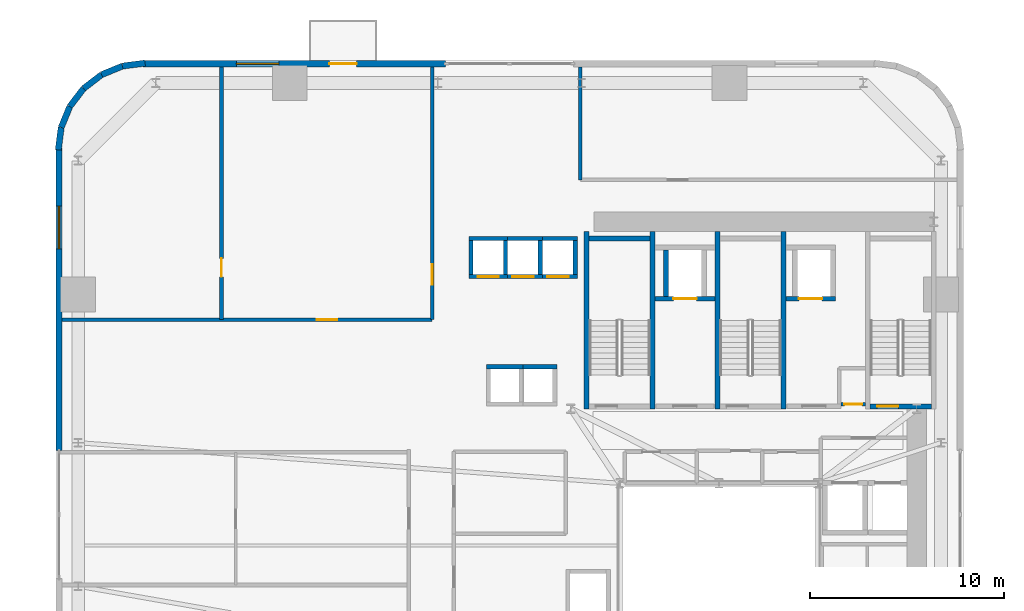
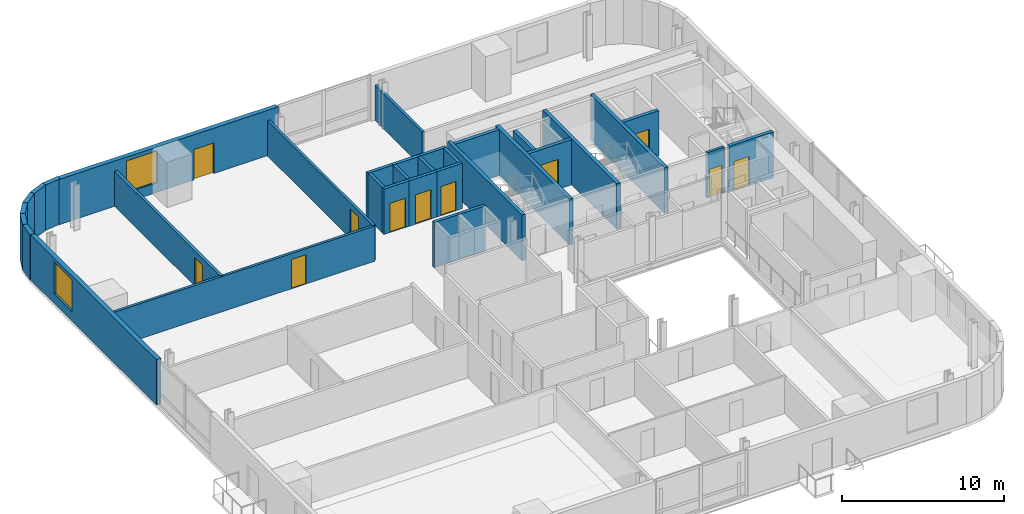
# One storey, part 8 of 13: 34 walls, 11 doors, 2 windows, 13 openings.
"""IFC4 building model written with IfcOpenShell, lengths in metres."""

from ifc_helpers import new_model, si_unit, direction, frame, frame_2d, origin, place, context, subcontext, project, spatial, rectangle, extrude, source, transform, mapped, material, layer, layer_set, type_object, element, fill, save


model = new_model("IFC4")

# Units and contexts
model_context = context("Model", 3, precision=1e-05, world=origin(), true_north=direction((0.0, 1.0)))
body_context = subcontext(model_context, "Body", "Model", "MODEL_VIEW")
ifc_project = project(units=[si_unit("LENGTHUNIT", "METRE"), si_unit("AREAUNIT", "SQUARE_METRE"), si_unit("VOLUMEUNIT", "CUBIC_METRE"), si_unit("PLANEANGLEUNIT", "RADIAN"), si_unit("MASSUNIT", "GRAM", prefix="KILO")], contexts=[model_context])

# Site, building, storey
site_placement = place(None, origin())
site = spatial("IfcSite", under=ifc_project, at=site_placement, CompositionType="ELEMENT")
building_placement = place(site_placement, origin())
building = spatial("IfcBuilding", under=site, at=building_placement, Name="Vardaveli Station Tower", CompositionType="ELEMENT")
storey_placement = place(building_placement, frame((0.0, 0.0, 67.75)))
storey = spatial("IfcBuildingStorey", under=building, at=storey_placement, Name="L17", CompositionType="ELEMENT", Elevation=67.75)

# Wall, openings, door, window
ifc_material_1 = material(Name="Precast concrete C45/55", Category="concrete")
ifc_layer_1 = layer(ifc_material_1, 0.320068359375, Name="Precast concrete C45/55")
ifc_layer_set_1 = layer_set([ifc_layer_1], Name="Precast concrete C45/55")
wall_type_1 = type_object("IfcWallType", Name="WAL-EXT-STONE-320", PredefinedType="SOLIDWALL", material=ifc_layer_set_1)
shared_shape_1 = source(origin(), body_context, "Body", "SweptSolid", [
    extrude(rectangle(XDim=15.599853515625, YDim=0.320068359375, at=frame_2d((7.7998046875, 0.0))), origin(), (0.0, 0.0, 1.0), 3.409912109375),
])
wall_1_placement = place(storey_placement, frame((22.199951171875, 48.43994140625, 0.0), z_axis=(0.0, 0.0, 1.0), x_axis=(-1.0, 0.0, 0.0)))
wall_1 = element("IfcWall", 1, at=wall_1_placement, inside=storey, type_object=wall_type_1, Name="EW-L17-N2", PredefinedType="SOLIDWALL", context=body_context, shape_type="MappedRepresentation", body=[
    mapped(shared_shape_1, transform((0.0, 0.0, 0.0), scale=1.0)),
])
shared_shape_2 = source(origin(), body_context, "Body", "SweptSolid", [
    extrude(rectangle(XDim=1.39990234375, YDim=2.300048828125, at=frame_2d((0.699951171875, 1.14990234375))), frame((0.0, 0.169921875, 0.0), z_axis=(0.0, -1.0, 0.0), x_axis=(1.0, 0.0, 0.0)), (0.0, 0.0, 1.0), 0.340087890625),
])
opening_1_placement = place(wall_1_placement, frame((4.589599609375, 0.0, 0.0)))
opening_1 = element("IfcOpeningElement", 2, at=opening_1_placement, cuts=wall_1, Name="Opening D-09", PredefinedType="OPENING", context=body_context, shape_type="MappedRepresentation", body=[
    mapped(shared_shape_2, transform((0.0, 0.0, 0.0), scale=1.0)),
])
shared_shape_3 = source(origin(), body_context, "Body", "SweptSolid", [
    extrude(rectangle(XDim=2.199951171875, YDim=2.39990234375, at=frame_2d((1.10009765625, 1.199951171875))), frame((0.0, 0.169921875, 0.0), z_axis=(0.0, -1.0, 0.0), x_axis=(1.0, 0.0, 0.0)), (0.0, 0.0, 1.0), 0.340087890625),
])
opening_2_placement = place(wall_1_placement, frame((8.594970703125, 0.0, 0.719970703125)))
opening_2 = element("IfcOpeningElement", 3, at=opening_2_placement, cuts=wall_1, Name="Opening W-03", PredefinedType="OPENING", context=body_context, shape_type="MappedRepresentation", body=[
    mapped(shared_shape_3, transform((0.0, 0.0, 0.0), scale=1.0)),
])
ifc_material_2 = material(Name="Thermally broken aluminium glass", Category="aluminium")
door_type_1 = type_object("IfcDoorType", Name="DR-LOG-1400x2300", OperationType="DOUBLE_DOOR_SLIDING", PredefinedType="DOOR", material=ifc_material_2)
shared_shape_4 = source(origin(), body_context, "Body", "SweptSolid", [
    extrude(rectangle(XDim=1.39990234375, YDim=2.300048828125, at=frame_2d((0.699951171875, 1.14990234375))), frame((0.0, 0.02490234375, 0.0), z_axis=(0.0, -1.0, 0.0), x_axis=(1.0, 0.0, 0.0)), (0.0, 0.0, 1.0), 0.050048828125),
])
door_1_placement = place(opening_1_placement, frame((1.39990234375, 0.0, 0.0), z_axis=(0.0, 0.0, 1.0), x_axis=(-1.0, 0.0, 0.0)))
door_1 = element("IfcDoor", 4, at=door_1_placement, inside=storey, type_object=door_type_1, Name="DLG-L17-N", OperationType="DOUBLE_DOOR_SLIDING", OverallHeight=2.300048828125, OverallWidth=1.39990234375, PredefinedType="DOOR", context=body_context, shape_type="MappedRepresentation", body=[
    mapped(shared_shape_4, transform((0.0, 0.0, 0.0), scale=1.0)),
])
fill(opening_1, door_1)
ifc_material_3 = material(Name="Low-E solar-control glass", Category="glass")
window_type = type_object("IfcWindowType", Name="WIN-LOG-2200x2400", PartitioningType="SINGLE_PANEL", PredefinedType="WINDOW", material=ifc_material_3)
shared_shape_5 = source(origin(), body_context, "Body", "SweptSolid", [
    extrude(rectangle(XDim=2.199951171875, YDim=2.39990234375, at=frame_2d((1.10009765625, 1.199951171875))), frame((0.0, 0.030029296875, 0.0), z_axis=(0.0, -1.0, 0.0), x_axis=(1.0, 0.0, 0.0)), (0.0, 0.0, 1.0), 0.06005859375),
])
window_1_placement = place(opening_2_placement, origin())
window_1 = element("IfcWindow", 5, at=window_1_placement, inside=storey, type_object=window_type, Name="WN-L17-N2", OverallHeight=2.39990234375, OverallWidth=2.199951171875, PartitioningType="SINGLE_PANEL", PredefinedType="WINDOW", context=body_context, shape_type="MappedRepresentation", body=[
    mapped(shared_shape_5, transform((0.0, 0.0, 0.0), scale=1.0)),
])
fill(opening_2, window_1)

# Wall, opening, window
shared_shape_6 = source(origin(), body_context, "Body", "SweptSolid", [
    extrude(rectangle(XDim=15.60009765625, YDim=0.320068359375, at=frame_2d((7.800048828125, 0.0))), origin(), (0.0, 0.0, 1.0), 3.409912109375),
])
wall_2_placement = place(storey_placement, frame((2.260009765625, 44.10009765625, 0.0), z_axis=(0.0, 0.0, 1.0), x_axis=(0.0, -1.0, 0.0)))
wall_2 = element("IfcWall", 6, at=wall_2_placement, inside=storey, type_object=wall_type_1, Name="EW-L17-W1", PredefinedType="SOLIDWALL", context=body_context, shape_type="MappedRepresentation", body=[
    mapped(shared_shape_6, transform((0.0, 0.0, 0.0), scale=1.0)),
])
opening_3_placement = place(wall_2_placement, frame((3.0048828125, 0.0, 0.719970703125)))
opening_3 = element("IfcOpeningElement", 7, at=opening_3_placement, cuts=wall_2, Name="Opening W-03", PredefinedType="OPENING", context=body_context, shape_type="MappedRepresentation", body=[
    mapped(shared_shape_3, transform((0.0, 0.0, 0.0), scale=1.0)),
])
window_2_placement = place(opening_3_placement, origin())
window_2 = element("IfcWindow", 8, at=window_2_placement, inside=storey, type_object=window_type, Name="WN-L17-W1", OverallHeight=2.39990234375, OverallWidth=2.199951171875, PartitioningType="SINGLE_PANEL", PredefinedType="WINDOW", context=body_context, shape_type="MappedRepresentation", body=[
    mapped(shared_shape_5, transform((0.0, 0.0, 0.0), scale=1.0)),
])
fill(opening_3, window_2)

# Walls
shared_shape_7 = source(origin(), body_context, "Body", "SweptSolid", [
    extrude(rectangle(XDim=1.1689453125, YDim=0.320068359375, at=frame_2d((0.58447265625, 0.0))), origin(), (0.0, 0.0, 1.0), 3.409912109375),
])
wall_3_placement = place(storey_placement, frame((3.53125, 47.1689453125, 0.0), z_axis=(0.0, 0.0, 1.0), x_axis=(-0.608387696831, -0.793639975269, 0.0)))
element("IfcWall", 9, at=wall_3_placement, inside=storey, type_object=wall_type_1, Name="EW-L17-CR4-4", PredefinedType="SOLIDWALL", context=body_context, shape_type="MappedRepresentation", body=[
    mapped(shared_shape_7, transform((0.0, 0.0, 0.0), scale=1.0)),
])
shared_shape_8 = source(origin(), body_context, "Body", "SweptSolid", [
    extrude(rectangle(XDim=1.168701171875, YDim=0.320068359375, at=frame_2d((0.58447265625, 0.0))), origin(), (0.0, 0.0, 1.0), 3.409912109375),
])
wall_4_placement = place(storey_placement, frame((4.458740234375, 47.8798828125, 0.0), z_axis=(0.0, 0.0, 1.0), x_axis=(-0.793663520347, -0.608356981114, 0.0)))
element("IfcWall", 10, at=wall_4_placement, inside=storey, type_object=wall_type_1, Name="EW-L17-CR4-3", PredefinedType="SOLIDWALL", context=body_context, shape_type="MappedRepresentation", body=[
    mapped(shared_shape_8, transform((0.0, 0.0, 0.0), scale=1.0)),
])
shared_shape_9 = source(origin(), body_context, "Body", "SweptSolid", [
    extrude(rectangle(XDim=1.17041015625, YDim=0.320068359375, at=frame_2d((0.585205078125, 0.0))), origin(), (0.0, 0.0, 1.0), 3.409912109375),
])
for number, where, z_axis, x_axis, name in (
    (11, (6.700439453125, 48.4755859375, 0.0), (0.0, 0.0, 1.0), (-0.991735963317, -0.128295670475, 0.0), "EW-L17-CR4-1"),
    (12, (2.37451171875, 45.16015625, 0.0), (0.0, 0.0, 1.0), (-0.128295670475, -0.991735963317, 0.0), "EW-L17-CR4-6"),
):
    element("IfcWall", number, at=place(storey_placement, frame(where, z_axis=z_axis, x_axis=x_axis)), inside=storey, type_object=wall_type_1, Name=name, PredefinedType="SOLIDWALL", context=body_context, shape_type="MappedRepresentation", body=[
        mapped(shared_shape_9, transform((0.0, 0.0, 0.0), scale=1.0)),
    ])
shared_shape_10 = source(origin(), body_context, "Body", "SweptSolid", [
    extrude(rectangle(XDim=1.169189453125, YDim=0.320068359375, at=frame_2d((0.58447265625, 0.0))), origin(), (0.0, 0.0, 1.0), 3.409912109375),
])
for number, where, z_axis, x_axis, name in (
    (13, (5.539794921875, 48.325439453125, 0.0), (0.0, 0.0, 1.0), (-0.924552646638, -0.381054331552, 0.0), "EW-L17-CR4-2"),
    (14, (2.820068359375, 46.2412109375, 0.0), (0.0, 0.0, 1.0), (-0.381054331552, -0.924552646638, 0.0), "EW-L17-CR4-5"),
):
    element("IfcWall", number, at=place(storey_placement, frame(where, z_axis=z_axis, x_axis=x_axis)), inside=storey, type_object=wall_type_1, Name=name, PredefinedType="SOLIDWALL", context=body_context, shape_type="MappedRepresentation", body=[
        mapped(shared_shape_10, transform((0.0, 0.0, 0.0), scale=1.0)),
    ])
ifc_material_4 = material(Name="Concrete C40/50", Category="concrete")
ifc_layer_2 = layer(ifc_material_4, 0.25, Name="Concrete C40/50")
ifc_layer_set_2 = layer_set([ifc_layer_2], Name="Concrete C40/50")
wall_type_2 = type_object("IfcWallType", Name="WAL-SHAFT-250", PredefinedType="SOLIDWALL", material=ifc_layer_set_2)
shared_shape_11 = source(origin(), body_context, "Body", "SweptSolid", [
    extrude(rectangle(XDim=9.150146484375, YDim=0.25, at=frame_2d((4.5751953125, 0.0))), origin(), (0.0, 0.0, 1.0), 3.449951171875),
])
for number, where, z_axis, x_axis, name in (
    (15, (29.47509765625, 30.64990234375, 0.0), (0.0, 0.0, 1.0), (0.0, 1.0, 0.0), "W-L17-ST-1W"),
    (16, (32.875, 30.64990234375, 0.0), (0.0, 0.0, 1.0), (0.0, 1.0, 0.0), "W-L17-ST-1E"),
    (17, (36.22509765625, 30.64990234375, 0.0), (0.0, 0.0, 1.0), (0.0, 1.0, 0.0), "W-L17-ST-2W"),
    (18, (39.625, 30.64990234375, 0.0), (0.0, 0.0, 1.0), (0.0, 1.0, 0.0), "W-L17-ST-2E"),
):
    element("IfcWall", number, at=place(storey_placement, frame(where, z_axis=z_axis, x_axis=x_axis)), inside=storey, type_object=wall_type_2, Name=name, PredefinedType="SOLIDWALL", context=body_context, shape_type="MappedRepresentation", body=[
        mapped(shared_shape_11, transform((0.0, 0.0, 0.0), scale=1.0)),
    ])
shared_shape_12 = source(origin(), body_context, "Body", "SweptSolid", [
    extrude(rectangle(XDim=3.14990234375, YDim=0.25, at=frame_2d((1.574951171875, 0.0))), origin(), (0.0, 0.0, 1.0), 3.449951171875),
])
wall_5_placement = place(storey_placement, frame((29.60009765625, 39.425048828125, 0.0), z_axis=(0.0, 0.0, 1.0), x_axis=(1.0, 0.0, 0.0)))
element("IfcWall", 19, at=wall_5_placement, inside=storey, type_object=wall_type_2, Name="W-L17-ST-1N", PredefinedType="SOLIDWALL", context=body_context, shape_type="MappedRepresentation", body=[
    mapped(shared_shape_12, transform((0.0, 0.0, 0.0), scale=1.0)),
])

# Wall, opening, door
wall_6_placement = place(storey_placement, frame((44.10009765625, 30.77490234375, 0.0), z_axis=(0.0, 0.0, 1.0), x_axis=(1.0, 0.0, 0.0)))
wall_6 = element("IfcWall", 20, at=wall_6_placement, inside=storey, type_object=wall_type_2, Name="W-L17-ST-3S", PredefinedType="SOLIDWALL", context=body_context, shape_type="MappedRepresentation", body=[
    mapped(shared_shape_12, transform((0.0, 0.0, 0.0), scale=1.0)),
])
shared_shape_13 = source(origin(), body_context, "Body", "SweptSolid", [
    extrude(rectangle(XDim=1.10009765625, YDim=2.199951171875, at=frame_2d((0.550048828125, 1.10009765625))), frame((0.0, 0.135009765625, 0.0), z_axis=(0.0, -1.0, 0.0), x_axis=(1.0, 0.0, 0.0)), (0.0, 0.0, 1.0), 0.27001953125),
])
opening_4_placement = place(wall_6_placement, frame((0.35009765625, 0.0, 0.0)))
opening_4 = element("IfcOpeningElement", 21, at=opening_4_placement, cuts=wall_6, Name="Opening D-04", PredefinedType="OPENING", context=body_context, shape_type="MappedRepresentation", body=[
    mapped(shared_shape_13, transform((0.0, 0.0, 0.0), scale=1.0)),
])
ifc_material_5 = material(Name="Steel smokeproof fire doorset", Category="steel")
door_type_2 = type_object("IfcDoorType", Name="DR-ST-1100x2200", OperationType="NOTDEFINED", PredefinedType="DOOR", material=ifc_material_5)
shared_shape_14 = source(origin(), body_context, "Body", "SweptSolid", [
    extrude(rectangle(XDim=1.10009765625, YDim=2.199951171875, at=frame_2d((0.550048828125, 1.10009765625))), frame((0.0, 0.02490234375, 0.0), z_axis=(0.0, -1.0, 0.0), x_axis=(1.0, 0.0, 0.0)), (0.0, 0.0, 1.0), 0.050048828125),
])
door_2_placement = place(opening_4_placement, origin())
door_2 = element("IfcDoor", 22, at=door_2_placement, inside=storey, type_object=door_type_2, Name="DST-3-L17", OperationType="SINGLE_SWING_LEFT", OverallHeight=2.199951171875, OverallWidth=1.10009765625, PredefinedType="DOOR", context=body_context, shape_type="MappedRepresentation", body=[
    mapped(shared_shape_14, transform((0.0, 0.0, 0.0), scale=1.0)),
])
fill(opening_4, door_2)

# Walls
ifc_layer_3 = layer(ifc_material_4, 0.219970703125, Name="Concrete C40/50")
ifc_layer_set_3 = layer_set([ifc_layer_3], Name="Concrete C40/50")
wall_type_3 = type_object("IfcWallType", Name="WAL-FFLOBBY-220", PredefinedType="SOLIDWALL", material=ifc_layer_set_3)
shared_shape_15 = source(origin(), body_context, "Body", "SweptSolid", [
    extrude(rectangle(XDim=1.75, YDim=0.219970703125, at=frame_2d((0.875, 0.0))), origin(), (0.0, 0.0, 1.0), 3.409912109375),
])
for number, where, z_axis, x_axis, name in (
    (23, (23.514892578125, 37.574951171875, 0.0), (0.0, 0.0, 1.0), (0.0, 1.0, 0.0), "SHW-HL1-01-L17-W"),
    (24, (25.284912109375, 37.574951171875, 0.0), (0.0, 0.0, 1.0), (0.0, 1.0, 0.0), "SHW-HL1-01-L17-E"),
    (25, (27.0849609375, 37.574951171875, 0.0), (0.0, 0.0, 1.0), (0.0, 1.0, 0.0), "SHW-HL1-02-L17-E"),
    (26, (28.885009765625, 37.574951171875, 0.0), (0.0, 0.0, 1.0), (0.0, 1.0, 0.0), "SHW-HL1-03-L17-E"),
):
    element("IfcWall", number, at=place(storey_placement, frame(where, z_axis=z_axis, x_axis=x_axis)), inside=storey, type_object=wall_type_3, Name=name, PredefinedType="SOLIDWALL", context=body_context, shape_type="MappedRepresentation", body=[
        mapped(shared_shape_15, transform((0.0, 0.0, 0.0), scale=1.0)),
    ])

# Wall, opening, door
shared_shape_16 = source(origin(), body_context, "Body", "SweptSolid", [
    extrude(rectangle(XDim=1.989990234375, YDim=0.219970703125, at=frame_2d((0.9951171875, 0.0))), origin(), (0.0, 0.0, 1.0), 3.409912109375),
])
wall_7_placement = place(storey_placement, frame((23.405029296875, 37.465087890625, 0.0), z_axis=(0.0, 0.0, 1.0), x_axis=(1.0, 0.0, 0.0)))
wall_7 = element("IfcWall", 27, at=wall_7_placement, inside=storey, type_object=wall_type_3, Name="SHW-HL1-01-L17-S", PredefinedType="SOLIDWALL", context=body_context, shape_type="MappedRepresentation", body=[
    mapped(shared_shape_16, transform((0.0, 0.0, 0.0), scale=1.0)),
])
shared_shape_17 = source(origin(), body_context, "Body", "SweptSolid", [
    extrude(rectangle(XDim=1.10009765625, YDim=2.199951171875, at=frame_2d((0.550048828125, 1.10009765625))), frame((0.0, 0.1201171875, 0.0), z_axis=(0.0, -1.0, 0.0), x_axis=(1.0, 0.0, 0.0)), (0.0, 0.0, 1.0), 0.239990234375),
])
opening_5_placement = place(wall_7_placement, frame((0.445068359375, 0.0, 0.0)))
opening_5 = element("IfcOpeningElement", 28, at=opening_5_placement, cuts=wall_7, Name="Opening LD-01", PredefinedType="OPENING", context=body_context, shape_type="MappedRepresentation", body=[
    mapped(shared_shape_17, transform((0.0, 0.0, 0.0), scale=1.0)),
])
ifc_material_6 = material(Name="Brushed stainless steel", Category="steel")
door_type_3 = type_object("IfcDoorType", Name="DR-LD-1100x2200", OperationType="DOUBLE_DOOR_SLIDING", PredefinedType="DOOR", material=ifc_material_6)
door_3_placement = place(opening_5_placement, origin())
door_3 = element("IfcDoor", 29, at=door_3_placement, inside=storey, type_object=door_type_3, Name="LD-HL1-01-L17", OperationType="DOUBLE_DOOR_SLIDING", OverallHeight=2.199951171875, OverallWidth=1.10009765625, PredefinedType="DOOR", context=body_context, shape_type="MappedRepresentation", body=[
    mapped(shared_shape_14, transform((0.0, 0.0, 0.0), scale=1.0)),
])
fill(opening_5, door_3)

# Wall
wall_8_placement = place(storey_placement, frame((23.405029296875, 39.43505859375, 0.0), z_axis=(0.0, 0.0, 1.0), x_axis=(1.0, 0.0, 0.0)))
element("IfcWall", 30, at=wall_8_placement, inside=storey, type_object=wall_type_3, Name="SHW-HL1-01-L17-N", PredefinedType="SOLIDWALL", context=body_context, shape_type="MappedRepresentation", body=[
    mapped(shared_shape_16, transform((0.0, 0.0, 0.0), scale=1.0)),
])

# Wall, opening, door
wall_9_placement = place(storey_placement, frame((25.205078125, 37.465087890625, 0.0), z_axis=(0.0, 0.0, 1.0), x_axis=(1.0, 0.0, 0.0)))
wall_9 = element("IfcWall", 31, at=wall_9_placement, inside=storey, type_object=wall_type_3, Name="SHW-HL1-02-L17-S", PredefinedType="SOLIDWALL", context=body_context, shape_type="MappedRepresentation", body=[
    mapped(shared_shape_16, transform((0.0, 0.0, 0.0), scale=1.0)),
])
opening_6_placement = place(wall_9_placement, frame((0.445068359375, 0.0, 0.0)))
opening_6 = element("IfcOpeningElement", 32, at=opening_6_placement, cuts=wall_9, Name="Opening LD-01", PredefinedType="OPENING", context=body_context, shape_type="MappedRepresentation", body=[
    mapped(shared_shape_17, transform((0.0, 0.0, 0.0), scale=1.0)),
])
door_4_placement = place(opening_6_placement, origin())
door_4 = element("IfcDoor", 33, at=door_4_placement, inside=storey, type_object=door_type_3, Name="LD-HL1-02-L17", OperationType="DOUBLE_DOOR_SLIDING", OverallHeight=2.199951171875, OverallWidth=1.10009765625, PredefinedType="DOOR", context=body_context, shape_type="MappedRepresentation", body=[
    mapped(shared_shape_14, transform((0.0, 0.0, 0.0), scale=1.0)),
])
fill(opening_6, door_4)

# Wall
wall_10_placement = place(storey_placement, frame((25.205078125, 39.43505859375, 0.0), z_axis=(0.0, 0.0, 1.0), x_axis=(1.0, 0.0, 0.0)))
element("IfcWall", 34, at=wall_10_placement, inside=storey, type_object=wall_type_3, Name="SHW-HL1-02-L17-N", PredefinedType="SOLIDWALL", context=body_context, shape_type="MappedRepresentation", body=[
    mapped(shared_shape_16, transform((0.0, 0.0, 0.0), scale=1.0)),
])

# Wall, opening, door
shared_shape_18 = source(origin(), body_context, "Body", "SweptSolid", [
    extrude(rectangle(XDim=1.990234375, YDim=0.219970703125, at=frame_2d((0.9951171875, 0.0))), origin(), (0.0, 0.0, 1.0), 3.409912109375),
])
wall_11_placement = place(storey_placement, frame((27.0048828125, 37.465087890625, 0.0), z_axis=(0.0, 0.0, 1.0), x_axis=(1.0, 0.0, 0.0)))
wall_11 = element("IfcWall", 35, at=wall_11_placement, inside=storey, type_object=wall_type_3, Name="SHW-HL1-03-L17-S", PredefinedType="SOLIDWALL", context=body_context, shape_type="MappedRepresentation", body=[
    mapped(shared_shape_18, transform((0.0, 0.0, 0.0), scale=1.0)),
])
opening_7_placement = place(wall_11_placement, frame((0.445068359375, 0.0, 0.0)))
opening_7 = element("IfcOpeningElement", 36, at=opening_7_placement, cuts=wall_11, Name="Opening LD-01", PredefinedType="OPENING", context=body_context, shape_type="MappedRepresentation", body=[
    mapped(shared_shape_17, transform((0.0, 0.0, 0.0), scale=1.0)),
])
door_5_placement = place(opening_7_placement, origin())
door_5 = element("IfcDoor", 37, at=door_5_placement, inside=storey, type_object=door_type_3, Name="LD-HL1-03-L17", OperationType="DOUBLE_DOOR_SLIDING", OverallHeight=2.199951171875, OverallWidth=1.10009765625, PredefinedType="DOOR", context=body_context, shape_type="MappedRepresentation", body=[
    mapped(shared_shape_14, transform((0.0, 0.0, 0.0), scale=1.0)),
])
fill(opening_7, door_5)

# Wall
wall_12_placement = place(storey_placement, frame((27.0048828125, 39.43505859375, 0.0), z_axis=(0.0, 0.0, 1.0), x_axis=(1.0, 0.0, 0.0)))
element("IfcWall", 38, at=wall_12_placement, inside=storey, type_object=wall_type_3, Name="SHW-HL1-03-L17-N", PredefinedType="SOLIDWALL", context=body_context, shape_type="MappedRepresentation", body=[
    mapped(shared_shape_18, transform((0.0, 0.0, 0.0), scale=1.0)),
])

# Wall, opening, door
shared_shape_19 = source(origin(), body_context, "Body", "SweptSolid", [
    extrude(rectangle(XDim=3.10009765625, YDim=0.25, at=frame_2d((1.550048828125, 0.0))), origin(), (0.0, 0.0, 1.0), 3.409912109375),
])
wall_13_placement = place(storey_placement, frame((33.0, 36.324951171875, 0.0), z_axis=(0.0, 0.0, 1.0), x_axis=(1.0, 0.0, 0.0)))
wall_13 = element("IfcWall", 39, at=wall_13_placement, inside=storey, type_object=wall_type_2, Name="SHW-FFL-01-L17-S", PredefinedType="SOLIDWALL", context=body_context, shape_type="MappedRepresentation", body=[
    mapped(shared_shape_19, transform((0.0, 0.0, 0.0), scale=1.0)),
])
shared_shape_20 = source(origin(), body_context, "Body", "SweptSolid", [
    extrude(rectangle(XDim=1.199951171875, YDim=2.25, at=frame_2d((0.60009765625, 1.125))), frame((0.0, 0.135009765625, 0.0), z_axis=(0.0, -1.0, 0.0), x_axis=(1.0, 0.0, 0.0)), (0.0, 0.0, 1.0), 0.27001953125),
])
opening_8_placement = place(wall_13_placement, frame((0.949951171875, 0.0, 0.0)))
opening_8 = element("IfcOpeningElement", 40, at=opening_8_placement, cuts=wall_13, Name="Opening LD-02", PredefinedType="OPENING", context=body_context, shape_type="MappedRepresentation", body=[
    mapped(shared_shape_20, transform((0.0, 0.0, 0.0), scale=1.0)),
])
door_type_4 = type_object("IfcDoorType", Name="DR-LD-1200x2250", OperationType="DOUBLE_DOOR_SLIDING", PredefinedType="DOOR", material=ifc_material_6)
shared_shape_21 = source(origin(), body_context, "Body", "SweptSolid", [
    extrude(rectangle(XDim=1.199951171875, YDim=2.25, at=frame_2d((0.60009765625, 1.125))), frame((0.0, 0.02490234375, 0.0), z_axis=(0.0, -1.0, 0.0), x_axis=(1.0, 0.0, 0.0)), (0.0, 0.0, 1.0), 0.050048828125),
])
door_6_placement = place(opening_8_placement, origin())
door_6 = element("IfcDoor", 41, at=door_6_placement, inside=storey, type_object=door_type_4, Name="LD-FFL-01-L17", OperationType="DOUBLE_DOOR_SLIDING", OverallHeight=2.25, OverallWidth=1.199951171875, PredefinedType="DOOR", context=body_context, shape_type="MappedRepresentation", body=[
    mapped(shared_shape_21, transform((0.0, 0.0, 0.0), scale=1.0)),
])
fill(opening_8, door_6)

# Wall
shared_shape_22 = source(origin(), body_context, "Body", "SweptSolid", [
    extrude(rectangle(XDim=2.400146484375, YDim=0.25, at=frame_2d((1.2001953125, 0.0))), origin(), (0.0, 0.0, 1.0), 3.409912109375),
])
wall_14_placement = place(storey_placement, frame((33.574951171875, 36.449951171875, 0.0), z_axis=(0.0, 0.0, 1.0), x_axis=(0.0, 1.0, 0.0)))
element("IfcWall", 42, at=wall_14_placement, inside=storey, type_object=wall_type_2, Name="SHW-FFL-01-L17-W", PredefinedType="SOLIDWALL", context=body_context, shape_type="MappedRepresentation", body=[
    mapped(shared_shape_22, transform((0.0, 0.0, 0.0), scale=1.0)),
])

# Wall, opening, door
shared_shape_23 = source(origin(), body_context, "Body", "SweptSolid", [
    extrude(rectangle(XDim=2.550048828125, YDim=0.25, at=frame_2d((1.27490234375, 0.0))), origin(), (0.0, 0.0, 1.0), 3.409912109375),
])
wall_15_placement = place(storey_placement, frame((39.75, 36.324951171875, 0.0), z_axis=(0.0, 0.0, 1.0), x_axis=(1.0, 0.0, 0.0)))
wall_15 = element("IfcWall", 43, at=wall_15_placement, inside=storey, type_object=wall_type_2, Name="SHW-FFL-02-L17-S", PredefinedType="SOLIDWALL", context=body_context, shape_type="MappedRepresentation", body=[
    mapped(shared_shape_23, transform((0.0, 0.0, 0.0), scale=1.0)),
])
opening_9_placement = place(wall_15_placement, frame((0.675048828125, 0.0, 0.0)))
opening_9 = element("IfcOpeningElement", 44, at=opening_9_placement, cuts=wall_15, Name="Opening LD-02", PredefinedType="OPENING", context=body_context, shape_type="MappedRepresentation", body=[
    mapped(shared_shape_20, transform((0.0, 0.0, 0.0), scale=1.0)),
])
door_7_placement = place(opening_9_placement, origin())
door_7 = element("IfcDoor", 45, at=door_7_placement, inside=storey, type_object=door_type_4, Name="LD-FFL-02-L17", OperationType="DOUBLE_DOOR_SLIDING", OverallHeight=2.25, OverallWidth=1.199951171875, PredefinedType="DOOR", context=body_context, shape_type="MappedRepresentation", body=[
    mapped(shared_shape_21, transform((0.0, 0.0, 0.0), scale=1.0)),
])
fill(opening_9, door_7)

# Walls
shared_shape_24 = source(origin(), body_context, "Body", "SweptSolid", [
    extrude(rectangle(XDim=1.89013671875, YDim=0.219970703125, at=frame_2d((0.945068359375, 0.0))), origin(), (0.0, 0.0, 1.0), 3.409912109375),
])
for number, where, z_axis, x_axis, name in (
    (46, (24.304931640625, 32.81005859375, 0.0), (0.0, 0.0, 1.0), (1.0, 0.0, 0.0), "SHW-SHU-01-L17-N"),
    (47, (26.054931640625, 32.81005859375, 0.0), (0.0, 0.0, 1.0), (1.0, 0.0, 0.0), "SHW-SHU-02-L17-N"),
):
    element("IfcWall", number, at=place(storey_placement, frame(where, z_axis=z_axis, x_axis=x_axis)), inside=storey, type_object=wall_type_3, Name=name, PredefinedType="SOLIDWALL", context=body_context, shape_type="MappedRepresentation", body=[
        mapped(shared_shape_24, transform((0.0, 0.0, 0.0), scale=1.0)),
    ])

# Wall, opening, door
ifc_material_7 = material(Name="Fire-rated gypsum stud partition")
ifc_layer_4 = layer(ifc_material_7, 0.179931640625, Name="Fire-rated gypsum stud partition")
ifc_layer_set_4 = layer_set([ifc_layer_4], Name="Fire-rated gypsum stud partition")
wall_type_4 = type_object("IfcWallType", Name="WAL-CORR-180", PredefinedType="PARTITIONING", material=ifc_layer_set_4)
shared_shape_25 = source(origin(), body_context, "Body", "SweptSolid", [
    extrude(rectangle(XDim=1.247802734375, YDim=0.179931640625, at=frame_2d((0.6240234375, 0.0))), origin(), (0.0, 0.0, 1.0), 3.409912109375),
])
wall_16_placement = place(storey_placement, frame((42.60009765625, 30.8798828125, 0.0), z_axis=(0.0, 0.0, 1.0), x_axis=(1.0, 0.0, 0.0)))
wall_16 = element("IfcWall", 48, at=wall_16_placement, inside=storey, type_object=wall_type_4, Name="W-L17-CBS2A-S", PredefinedType="PARTITIONING", context=body_context, shape_type="MappedRepresentation", body=[
    mapped(shared_shape_25, transform((0.0, 0.0, 0.0), scale=1.0)),
])
shared_shape_26 = source(origin(), body_context, "Body", "SweptSolid", [
    extrude(rectangle(XDim=0.919921875, YDim=2.10009765625, at=frame_2d((0.4599609375, 1.050048828125))), frame((0.0, 0.10009765625, 0.0), z_axis=(0.0, -1.0, 0.0), x_axis=(1.0, 0.0, 0.0)), (0.0, 0.0, 1.0), 0.199951171875),
])
opening_10_placement = place(wall_16_placement, frame((0.1640625, 0.0, 0.0)))
opening_10 = element("IfcOpeningElement", 49, at=opening_10_placement, cuts=wall_16, Name="Opening D-07", PredefinedType="OPENING", context=body_context, shape_type="MappedRepresentation", body=[
    mapped(shared_shape_26, transform((0.0, 0.0, 0.0), scale=1.0)),
])
ifc_material_8 = material(Name="Moisture-resistant hardwood door", Category="wood")
door_type_5 = type_object("IfcDoorType", Name="DR-WC-920x2100", OperationType="NOTDEFINED", PredefinedType="DOOR", material=ifc_material_8)
shared_shape_27 = source(origin(), body_context, "Body", "SweptSolid", [
    extrude(rectangle(XDim=0.919921875, YDim=2.10009765625, at=frame_2d((0.4599609375, 1.050048828125))), frame((0.0, 0.02490234375, 0.0), z_axis=(0.0, -1.0, 0.0), x_axis=(1.0, 0.0, 0.0)), (0.0, 0.0, 1.0), 0.050048828125),
])
door_8_placement = place(opening_10_placement, origin())
door_8 = element("IfcDoor", 50, at=door_8_placement, inside=storey, type_object=door_type_5, Name="D-L17-CBS1", OperationType="SINGLE_SWING_LEFT", OverallHeight=2.10009765625, OverallWidth=0.919921875, PredefinedType="DOOR", context=body_context, shape_type="MappedRepresentation", body=[
    mapped(shared_shape_27, transform((0.0, 0.0, 0.0), scale=1.0)),
])
fill(opening_10, door_8)

shared_shape_28 = source(origin(), body_context, "Body", "SweptSolid", [
    extrude(rectangle(XDim=19.077880859375, YDim=0.179931640625, at=frame_2d((9.5390625, 0.0))), origin(), (0.0, 0.0, 1.0), 2.652099609375),
])
wall_17_placement = place(storey_placement, frame((2.422119140625, 35.25, 0.0), z_axis=(0.0, 0.0, 1.0), x_axis=(1.0, 0.0, 0.0)))
wall_17 = element("IfcWall", 51, at=wall_17_placement, inside=storey, type_object=wall_type_4, Name="W-L17-CNWS", PredefinedType="PARTITIONING", context=body_context, shape_type="MappedRepresentation", body=[
    mapped(shared_shape_28, transform((0.0, 0.0, 0.0), scale=1.0)),
])
shared_shape_29 = source(origin(), body_context, "Body", "SweptSolid", [
    extrude(rectangle(XDim=1.050048828125, YDim=2.199951171875, at=frame_2d((0.52490234375, 1.10009765625))), frame((0.0, 0.10009765625, 0.0), z_axis=(0.0, -1.0, 0.0), x_axis=(1.0, 0.0, 0.0)), (0.0, 0.0, 1.0), 0.199951171875),
])
opening_11_placement = place(wall_17_placement, frame((13.12890625, 0.0, 0.0)))
opening_11 = element("IfcOpeningElement", 52, at=opening_11_placement, cuts=wall_17, Name="Opening D-05", PredefinedType="OPENING", context=body_context, shape_type="MappedRepresentation", body=[
    mapped(shared_shape_29, transform((0.0, 0.0, 0.0), scale=1.0)),
])
ifc_material_9 = material(Name="Walnut veneer acoustic fire door")
door_type_6 = type_object("IfcDoorType", Name="DR-SUITE-1050x2200", OperationType="NOTDEFINED", PredefinedType="DOOR", material=ifc_material_9)
shared_shape_30 = source(origin(), body_context, "Body", "SweptSolid", [
    extrude(rectangle(XDim=1.050048828125, YDim=2.199951171875, at=frame_2d((0.52490234375, 1.10009765625))), frame((0.0, 0.02490234375, 0.0), z_axis=(0.0, -1.0, 0.0), x_axis=(1.0, 0.0, 0.0)), (0.0, 0.0, 1.0), 0.050048828125),
])
door_9_placement = place(opening_11_placement, origin())
door_9 = element("IfcDoor", 53, at=door_9_placement, inside=storey, type_object=door_type_6, Name="D-L17-GNW2", OperationType="SINGLE_SWING_RIGHT", OverallHeight=2.199951171875, OverallWidth=1.050048828125, PredefinedType="DOOR", context=body_context, shape_type="MappedRepresentation", body=[
    mapped(shared_shape_30, transform((0.0, 0.0, 0.0), scale=1.0)),
])
fill(opening_11, door_9)

shared_shape_31 = source(origin(), body_context, "Body", "SweptSolid", [
    extrude(rectangle(XDim=13.028076171875, YDim=0.179931640625, at=frame_2d((6.51416015625, 0.0))), origin(), (0.0, 0.0, 1.0), 2.652099609375),
])
wall_18_placement = place(storey_placement, frame((21.5, 35.25, 0.0), z_axis=(0.0, 0.0, 1.0), x_axis=(0.0, 1.0, 0.0)))
wall_18 = element("IfcWall", 54, at=wall_18_placement, inside=storey, type_object=wall_type_4, Name="W-L17-CNWE", PredefinedType="PARTITIONING", context=body_context, shape_type="MappedRepresentation", body=[
    mapped(shared_shape_31, transform((0.0, 0.0, 0.0), scale=1.0)),
])
opening_12_placement = place(wall_18_placement, frame((1.800048828125, 0.0, 0.0)))
opening_12 = element("IfcOpeningElement", 55, at=opening_12_placement, cuts=wall_18, Name="Opening D-05", PredefinedType="OPENING", context=body_context, shape_type="MappedRepresentation", body=[
    mapped(shared_shape_29, transform((0.0, 0.0, 0.0), scale=1.0)),
])
door_10_placement = place(opening_12_placement, origin())
door_10 = element("IfcDoor", 56, at=door_10_placement, inside=storey, type_object=door_type_6, Name="D-L17-GNWE", OperationType="SINGLE_SWING_RIGHT", OverallHeight=2.199951171875, OverallWidth=1.050048828125, PredefinedType="DOOR", context=body_context, shape_type="MappedRepresentation", body=[
    mapped(shared_shape_30, transform((0.0, 0.0, 0.0), scale=1.0)),
])
fill(opening_12, door_10)

# Wall
shared_shape_32 = source(origin(), body_context, "Body", "SweptSolid", [
    extrude(rectangle(XDim=5.828125, YDim=0.179931640625, at=frame_2d((2.9140625, 0.0))), origin(), (0.0, 0.0, 1.0), 2.652099609375),
])
wall_19_placement = place(storey_placement, frame((29.14990234375, 42.449951171875, 0.0), z_axis=(0.0, 0.0, 1.0), x_axis=(0.0, 1.0, 0.0)))
element("IfcWall", 57, at=wall_19_placement, inside=storey, type_object=wall_type_4, Name="W-L17-NPW", PredefinedType="PARTITIONING", context=body_context, shape_type="MappedRepresentation", body=[
    mapped(shared_shape_32, transform((0.0, 0.0, 0.0), scale=1.0)),
])

# Wall, opening, door
ifc_material_10 = material(Name="Acoustic twin-stud gypsum partition")
ifc_layer_5 = layer(ifc_material_10, 0.199951171875, Name="Acoustic twin-stud gypsum partition")
ifc_layer_set_5 = layer_set([ifc_layer_5], Name="Acoustic twin-stud gypsum partition")
wall_type_5 = type_object("IfcWallType", Name="WAL-PARTY-200", PredefinedType="PARTITIONING", material=ifc_layer_set_5)
shared_shape_33 = source(origin(), body_context, "Body", "SweptSolid", [
    extrude(rectangle(XDim=13.028076171875, YDim=0.199951171875, at=frame_2d((6.51416015625, 0.0))), origin(), (0.0, 0.0, 1.0), 2.652099609375),
])
wall_20_placement = place(storey_placement, frame((10.64208984375, 35.25, 0.0), z_axis=(0.0, 0.0, 1.0), x_axis=(0.0, 1.0, 0.0)))
wall_20 = element("IfcWall", 58, at=wall_20_placement, inside=storey, type_object=wall_type_5, Name="W-L17-PNW1", PredefinedType="PARTITIONING", context=body_context, shape_type="MappedRepresentation", body=[
    mapped(shared_shape_33, transform((0.0, 0.0, 0.0), scale=1.0)),
])
shared_shape_34 = source(origin(), body_context, "Body", "SweptSolid", [
    extrude(rectangle(XDim=0.949951171875, YDim=2.14990234375, at=frame_2d((0.47509765625, 1.074951171875))), frame((0.0, 0.10986328125, 0.0), z_axis=(0.0, -1.0, 0.0), x_axis=(1.0, 0.0, 0.0)), (0.0, 0.0, 1.0), 0.219970703125),
])
opening_13_placement = place(wall_20_placement, frame((2.199951171875, 0.0, 0.0)))
opening_13 = element("IfcOpeningElement", 59, at=opening_13_placement, cuts=wall_20, Name="Opening D-11", PredefinedType="OPENING", context=body_context, shape_type="MappedRepresentation", body=[
    mapped(shared_shape_34, transform((0.0, 0.0, 0.0), scale=1.0)),
])
ifc_material_11 = material(Name="Oak veneer internal suite door")
door_type_7 = type_object("IfcDoorType", Name="DR-INT-950x2150", OperationType="NOTDEFINED", PredefinedType="DOOR", material=ifc_material_11)
shared_shape_35 = source(origin(), body_context, "Body", "SweptSolid", [
    extrude(rectangle(XDim=0.949951171875, YDim=2.14990234375, at=frame_2d((0.47509765625, 1.074951171875))), frame((0.0, 0.02490234375, 0.0), z_axis=(0.0, -1.0, 0.0), x_axis=(1.0, 0.0, 0.0)), (0.0, 0.0, 1.0), 0.050048828125),
])
door_11_placement = place(opening_13_placement, origin())
door_11 = element("IfcDoor", 60, at=door_11_placement, inside=storey, type_object=door_type_7, Name="D-L17-GNW1", OperationType="SINGLE_SWING_LEFT", OverallHeight=2.14990234375, OverallWidth=0.949951171875, PredefinedType="DOOR", context=body_context, shape_type="MappedRepresentation", body=[
    mapped(shared_shape_35, transform((0.0, 0.0, 0.0), scale=1.0)),
])
fill(opening_13, door_11)

save(model, "model.ifc")
